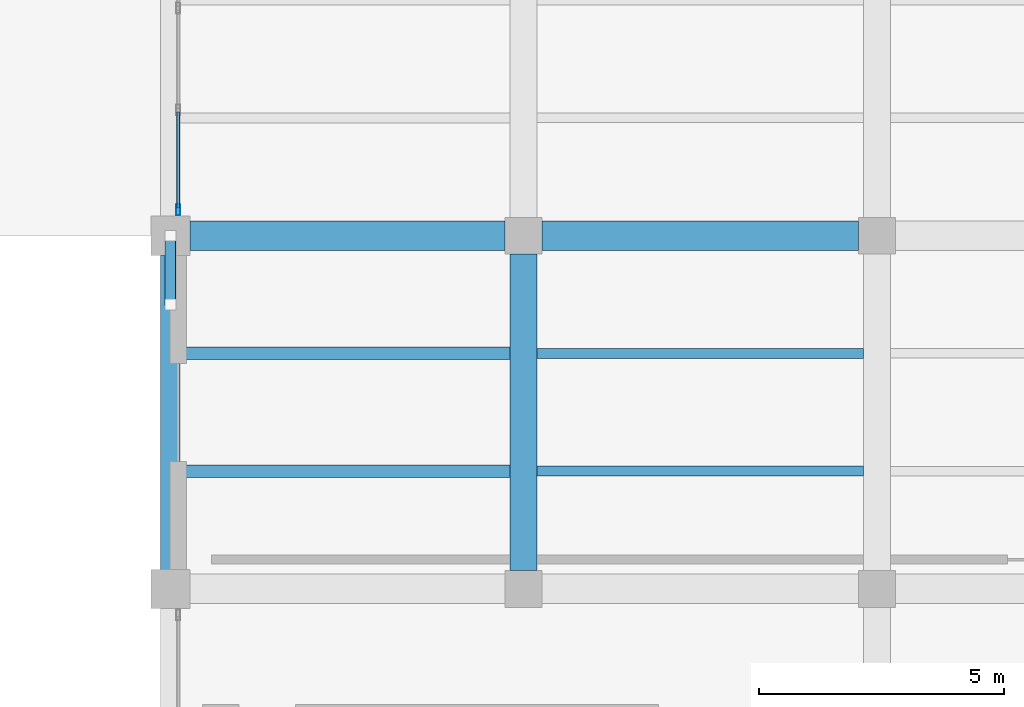
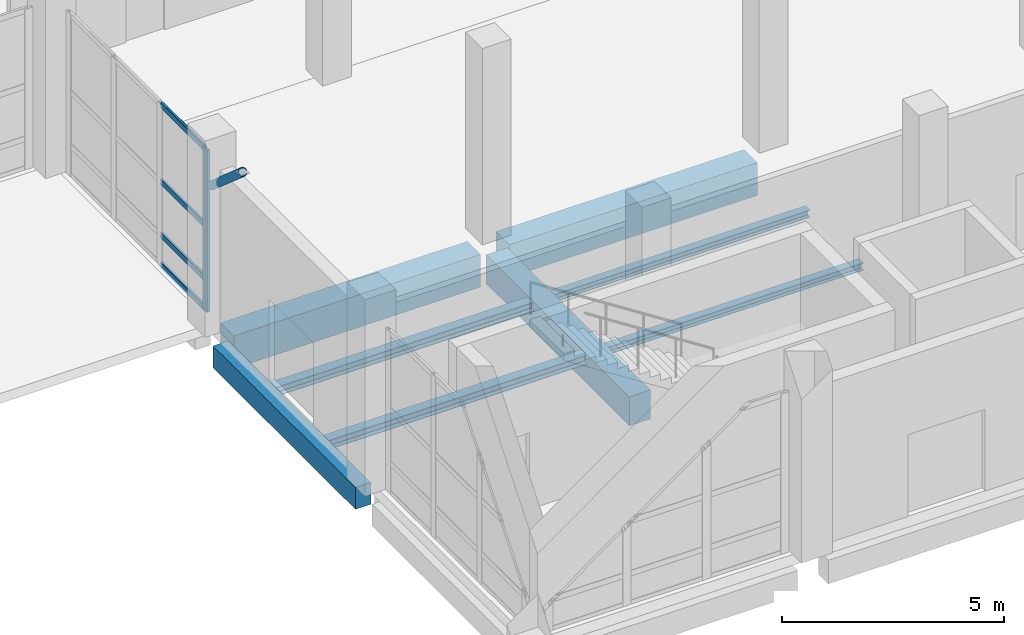
# One storey, part 30 of 137: 8 beams, 6 members, 1 element without a shape of its own.
"""IFC4 building model written with IfcOpenShell, lengths in metres."""

from ifc_helpers import new_model, si_unit, direction, frame, origin, origin_2d, place, context, subcontext, project, spatial, rectangle, hollow_rectangle, hollow_circle, i_section, extrude, material, material_profile, profile_set, type_object, element, aggregate, save


model = new_model("IFC4")

# Units and contexts
model_context = context("Model", 3, precision=1e-05, world=origin(), true_north=direction((0.0, 1.0)))
body_context = subcontext(model_context, "Body", "Model", "MODEL_VIEW")
ifc_project = project(units=[si_unit("LENGTHUNIT", "METRE"), si_unit("AREAUNIT", "SQUARE_METRE"), si_unit("VOLUMEUNIT", "CUBIC_METRE"), si_unit("PLANEANGLEUNIT", "RADIAN"), si_unit("MASSUNIT", "GRAM", prefix="KILO")], contexts=[model_context])

# Site, building, storey
site_placement = place(None, origin())
site = spatial("IfcSite", under=ifc_project, at=site_placement, CompositionType="ELEMENT")
building_placement = place(site_placement, origin())
building = spatial("IfcBuilding", under=site, at=building_placement, Name="Kalmorath City Hall", CompositionType="ELEMENT")
storey_placement = place(building_placement, origin())
storey = spatial("IfcBuildingStorey", under=building, at=storey_placement, Name="L00", CompositionType="ELEMENT", Elevation=0.0)

# Beams
ifc_material_1 = material(Name="Concrete C40/50", Category="concrete")
ifc_material_profile_1 = material_profile(ifc_material_1, rectangle(XDim=0.39990234375, YDim=0.60009765625, at=origin_2d()), Name="RC-BM-400X600")
ifc_profile_set_1 = profile_set([ifc_material_profile_1], Name="Concrete C40/50")
beam_type_1 = type_object("IfcBeamType", Name="Concrete edge beam 400x600", PredefinedType="SPANDREL", material=ifc_profile_set_1)
beam_1_placement = place(storey_placement, frame((115.199951171875, 7.574951171875, -0.60400390625), z_axis=(0.0, 1.0, 0.0), x_axis=(-1.0, 0.0, 0.0)))
element("IfcBeam", 1, at=beam_1_placement, inside=storey, type_object=beam_type_1, Name="L00 girder CB6 Y17/2-3", PredefinedType="SPANDREL", context=body_context, shape_type="SweptSolid", body=[
    extrude(rectangle(XDim=0.39990234375, YDim=0.60009765625, at=origin_2d()), origin(), (0.0, 0.0, 1.0), 6.425048828125),
])
ifc_material_2 = material(Name="Concrete C40/50", Category="concrete")
ifc_material_profile_2 = material_profile(ifc_material_2, rectangle(XDim=0.550048828125, YDim=0.800048828125, at=origin_2d()), Name="RC-BM-550X800")
ifc_profile_set_2 = profile_set([ifc_material_profile_2], Name="Concrete C40/50")
beam_type_2 = type_object("IfcBeamType", Name="Concrete floor girder 550x800", PredefinedType="BEAM", material=ifc_profile_set_2)
beam_2_placement = place(storey_placement, frame((122.39990234375, 7.574951171875, -0.7041015625), z_axis=(0.0, 1.0, 0.0), x_axis=(-1.0, 0.0, 0.0)))
element("IfcBeam", 2, at=beam_2_placement, inside=storey, type_object=beam_type_2, Name="L00 girder CB2 Y18/2-3", PredefinedType="BEAM", context=body_context, shape_type="SweptSolid", body=[
    extrude(rectangle(XDim=0.550048828125, YDim=0.800048828125, at=origin_2d()), origin(), (0.0, 0.0, 1.0), 6.449951171875),
])
ifc_material_3 = material(Name="Concrete C40/50", Category="concrete")
ifc_material_profile_3 = material_profile(ifc_material_3, rectangle(XDim=0.60009765625, YDim=0.89990234375, at=origin_2d()), Name="RC-BM-600X900")
ifc_profile_set_3 = profile_set([ifc_material_profile_3], Name="Concrete C40/50")
beam_type_3 = type_object("IfcBeamType", Name="Concrete floor girder 600x900", PredefinedType="BEAM", material=ifc_profile_set_3)
beam_3_placement = place(storey_placement, frame((115.60009765625, 14.39990234375, -0.75390625), z_axis=(1.0, 0.0, 0.0), x_axis=(0.0, 1.0, 0.0)))
element("IfcBeam", 3, at=beam_3_placement, inside=storey, type_object=beam_type_3, Name="L00 girder CB1 X17-18/3", PredefinedType="BEAM", context=body_context, shape_type="SweptSolid", body=[
    extrude(rectangle(XDim=0.60009765625, YDim=0.89990234375, at=origin_2d()), origin(), (0.0, 0.0, 1.0), 6.4248046875),
])
beam_4_placement = place(storey_placement, frame((122.77490234375, 14.39990234375, -0.75390625), z_axis=(1.0, 0.0, 0.0), x_axis=(0.0, 1.0, 0.0)))
element("IfcBeam", 4, at=beam_4_placement, inside=storey, type_object=beam_type_3, Name="L00 girder CB1 X18-19/3", PredefinedType="BEAM", context=body_context, shape_type="SweptSolid", body=[
    extrude(rectangle(XDim=0.60009765625, YDim=0.89990234375, at=origin_2d()), origin(), (0.0, 0.0, 1.0), 6.4501953125),
])

# Curtain wall, members
ifc_material_4 = material(Name="Anodised aluminium and laminated glass", Category="aluminium")
curtain_wall_type = type_object("IfcCurtainWallType", Name="Unitised hurricane curtain wall 6220x4461 M1800", PredefinedType="NOTDEFINED", material=ifc_material_4)
curtain_wall_placement = place(storey_placement, origin())
curtain_wall = element("IfcCurtainWall", 5, at=curtain_wall_placement, inside=storey, type_object=curtain_wall_type, Name="L00 curtain wall CW-62X45M18 #17", PredefinedType="NOTDEFINED")
ifc_material_5 = material(Name="Anodised aluminium framing", Category="aluminium")
ifc_material_profile_4 = material_profile(ifc_material_5, hollow_rectangle(XDim=0.074951171875, YDim=0.219970703125, WallThickness=0.00390625, InnerFilletRadius=0.00390625, OuterFilletRadius=0.008056640625, at=origin_2d()), Name="ALU-MUL-220X75X4")
ifc_profile_set_4 = profile_set([ifc_material_profile_4], Name="Anodised aluminium framing")
member_type_1 = type_object("IfcMemberType", Name="Curtain-wall primary mullion 220x75", PredefinedType="MULLION", material=ifc_profile_set_4)
member_1_placement = place(storey_placement, frame((115.360107421875, 14.927490234375, 0.0), z_axis=(0.0, 0.0, 1.0), x_axis=(-1.0, 0.0, 0.0)))
member_1 = element("IfcMember", 6, at=member_1_placement, type_object=member_type_1, Name="CW-62X45M18 mullion 1", PredefinedType="MULLION", context=body_context, shape_type="SweptSolid", body=[
    extrude(hollow_rectangle(XDim=0.074951171875, YDim=0.219970703125, WallThickness=0.00390625, InnerFilletRadius=0.00390625, OuterFilletRadius=0.008056640625, at=origin_2d()), origin(), (0.0, 0.0, 1.0), 4.4609375),
])
ifc_material_6 = material(Name="Anodised aluminium framing", Category="aluminium")
ifc_material_profile_5 = material_profile(ifc_material_6, hollow_rectangle(XDim=0.06494140625, YDim=0.159912109375, WallThickness=0.00390625, InnerFilletRadius=0.00390625, OuterFilletRadius=0.008056640625, at=origin_2d()), Name="ALU-TRN-160X65X4")
ifc_profile_set_5 = profile_set([ifc_material_profile_5], Name="Anodised aluminium framing")
member_type_2 = type_object("IfcMemberType", Name="Curtain-wall primary transom 160x65", PredefinedType="USERDEFINED", material=ifc_profile_set_5)
member_2_placement = place(storey_placement, frame((115.360107421875, 14.965087890625, 0.032470703125), z_axis=(0.0, 1.0, 0.0), x_axis=(-1.0, 0.0, 0.0)))
member_2 = element("IfcMember", 7, at=member_2_placement, type_object=member_type_2, Name="CW-62X45M18 transom 1.1", ObjectType="TRANSOM", PredefinedType="USERDEFINED", context=body_context, shape_type="SweptSolid", body=[
    extrude(hollow_rectangle(XDim=0.06494140625, YDim=0.159912109375, WallThickness=0.00390625, InnerFilletRadius=0.00390625, OuterFilletRadius=0.008056640625, at=origin_2d()), origin(), (0.0, 0.0, 1.0), 1.960693359375),
])
member_3_placement = place(storey_placement, frame((115.360107421875, 14.965087890625, 0.85009765625), z_axis=(0.0, 1.0, 0.0), x_axis=(-1.0, 0.0, 0.0)))
member_3 = element("IfcMember", 8, at=member_3_placement, type_object=member_type_2, Name="CW-62X45M18 transom 1.2", ObjectType="TRANSOM", PredefinedType="USERDEFINED", context=body_context, shape_type="SweptSolid", body=[
    extrude(hollow_rectangle(XDim=0.06494140625, YDim=0.159912109375, WallThickness=0.00390625, InnerFilletRadius=0.00390625, OuterFilletRadius=0.008056640625, at=origin_2d()), origin(), (0.0, 0.0, 1.0), 1.960693359375),
])
member_4_placement = place(storey_placement, frame((115.360107421875, 14.965087890625, 2.320068359375), z_axis=(0.0, 1.0, 0.0), x_axis=(-1.0, 0.0, 0.0)))
member_4 = element("IfcMember", 9, at=member_4_placement, type_object=member_type_2, Name="CW-62X45M18 transom 1.3", ObjectType="TRANSOM", PredefinedType="USERDEFINED", context=body_context, shape_type="SweptSolid", body=[
    extrude(hollow_rectangle(XDim=0.06494140625, YDim=0.159912109375, WallThickness=0.00390625, InnerFilletRadius=0.00390625, OuterFilletRadius=0.008056640625, at=origin_2d()), origin(), (0.0, 0.0, 1.0), 1.960693359375),
])
member_5_placement = place(storey_placement, frame((115.360107421875, 14.965087890625, 4.428466796875), z_axis=(0.0, 1.0, 0.0), x_axis=(-1.0, 0.0, 0.0)))
member_5 = element("IfcMember", 10, at=member_5_placement, type_object=member_type_2, Name="CW-62X45M18 transom 1.4", ObjectType="TRANSOM", PredefinedType="USERDEFINED", context=body_context, shape_type="SweptSolid", body=[
    extrude(hollow_rectangle(XDim=0.06494140625, YDim=0.159912109375, WallThickness=0.00390625, InnerFilletRadius=0.00390625, OuterFilletRadius=0.008056640625, at=origin_2d()), origin(), (0.0, 0.0, 1.0), 1.960693359375),
])
aggregate(curtain_wall, [member_1, member_2, member_3, member_4, member_5])

# Member
ifc_material_7 = material(Name="Steel ASTM A500 Grade C", Category="steel")
ifc_material_profile_6 = material_profile(ifc_material_7, hollow_circle(Radius=0.109619140625, WallThickness=0.0087890625, at=origin_2d()), Name="HSS219X9.5")
ifc_profile_set_6 = profile_set([ifc_material_profile_6], Name="Steel ASTM A500 Grade C")
member_type_3 = type_object("IfcMemberType", Name="Steel arcade diagonal strut HSS219X9.5", PredefinedType="BRACE", material=ifc_profile_set_6)
member_6_placement = place(storey_placement, frame((115.199951171875, 14.39990234375, 3.800048828125), z_axis=(0.0, -0.753894617684, 0.656995361801), x_axis=(1.0, 0.0, 0.0)))
element("IfcMember", 11, at=member_6_placement, inside=storey, type_object=member_type_3, Name="Storm arcade brace strut BR7-12", PredefinedType="BRACE", context=body_context, shape_type="SweptSolid", body=[
    extrude(hollow_circle(Radius=0.109619140625, WallThickness=0.0087890625, at=origin_2d()), origin(), (0.0, 0.0, 1.0), 1.85693359375),
])

# Beams
ifc_material_8 = material(Name="Steel ASTM A992 Grade 50", Category="steel")
ifc_material_profile_7 = material_profile(ifc_material_8, i_section(OverallWidth=0.202880859375, OverallDepth=0.202880859375, WebThickness=0.007080078125, FlangeThickness=0.010986328125, FilletRadius=0.010986328125, at=origin_2d()), Name="W8X31")
ifc_profile_set_7 = profile_set([ifc_material_profile_7], Name="Steel ASTM A992 Grade 50")
beam_type_4 = type_object("IfcBeamType", Name="Steel edge trimmer W8X31", PredefinedType="LINTEL", material=ifc_profile_set_7)
for number, where, z_axis, x_axis, name in (
    (12, (122.675048828125, 9.60009765625, -0.405517578125), (1.0, 0.0, 0.0), (0.0, 1.0, 0.0), "L00 joist SJ16 18.2.1"),
    (13, (122.675048828125, 12.0, -0.405517578125), (1.0, 0.0, 0.0), (0.0, 1.0, 0.0), "L00 joist SJ16 18.2.2"),
):
    element("IfcBeam", number, at=place(storey_placement, frame(where, z_axis=z_axis, x_axis=x_axis)), inside=storey, type_object=beam_type_4, Name=name, PredefinedType="LINTEL", context=body_context, shape_type="SweptSolid", body=[
        extrude(i_section(OverallWidth=0.202880859375, OverallDepth=0.202880859375, WebThickness=0.007080078125, FlangeThickness=0.010986328125, FilletRadius=0.010986328125, at=origin_2d()), origin(), (0.0, 0.0, 1.0), 6.64990234375),
    ])
ifc_material_9 = material(Name="Steel ASTM A992 Grade 50", Category="steel")
ifc_material_profile_8 = material_profile(ifc_material_9, i_section(OverallWidth=0.25390625, OverallDepth=0.2529296875, WebThickness=0.008544921875, FlangeThickness=0.01416015625, FilletRadius=0.011962890625, at=origin_2d()), Name="W10X49")
ifc_profile_set_8 = profile_set([ifc_material_profile_8], Name="Steel ASTM A992 Grade 50")
beam_type_5 = type_object("IfcBeamType", Name="Steel trimmer beam W10X49", PredefinedType="BEAM", material=ifc_profile_set_8)
for number, where, z_axis, x_axis, name in (
    (14, (115.39990234375, 9.60009765625, -0.430419921875), (1.0, 0.0, 0.0), (0.0, 1.0, 0.0), "L00 joist SJ14 17.2.1"),
    (15, (115.39990234375, 12.0, -0.430419921875), (1.0, 0.0, 0.0), (0.0, 1.0, 0.0), "L00 joist SJ14 17.2.2"),
):
    element("IfcBeam", number, at=place(storey_placement, frame(where, z_axis=z_axis, x_axis=x_axis)), inside=storey, type_object=beam_type_5, Name=name, PredefinedType="BEAM", context=body_context, shape_type="SweptSolid", body=[
        extrude(i_section(OverallWidth=0.25390625, OverallDepth=0.2529296875, WebThickness=0.008544921875, FlangeThickness=0.01416015625, FilletRadius=0.011962890625, at=origin_2d()), origin(), (0.0, 0.0, 1.0), 6.72509765625),
    ])

save(model, "model.ifc")
